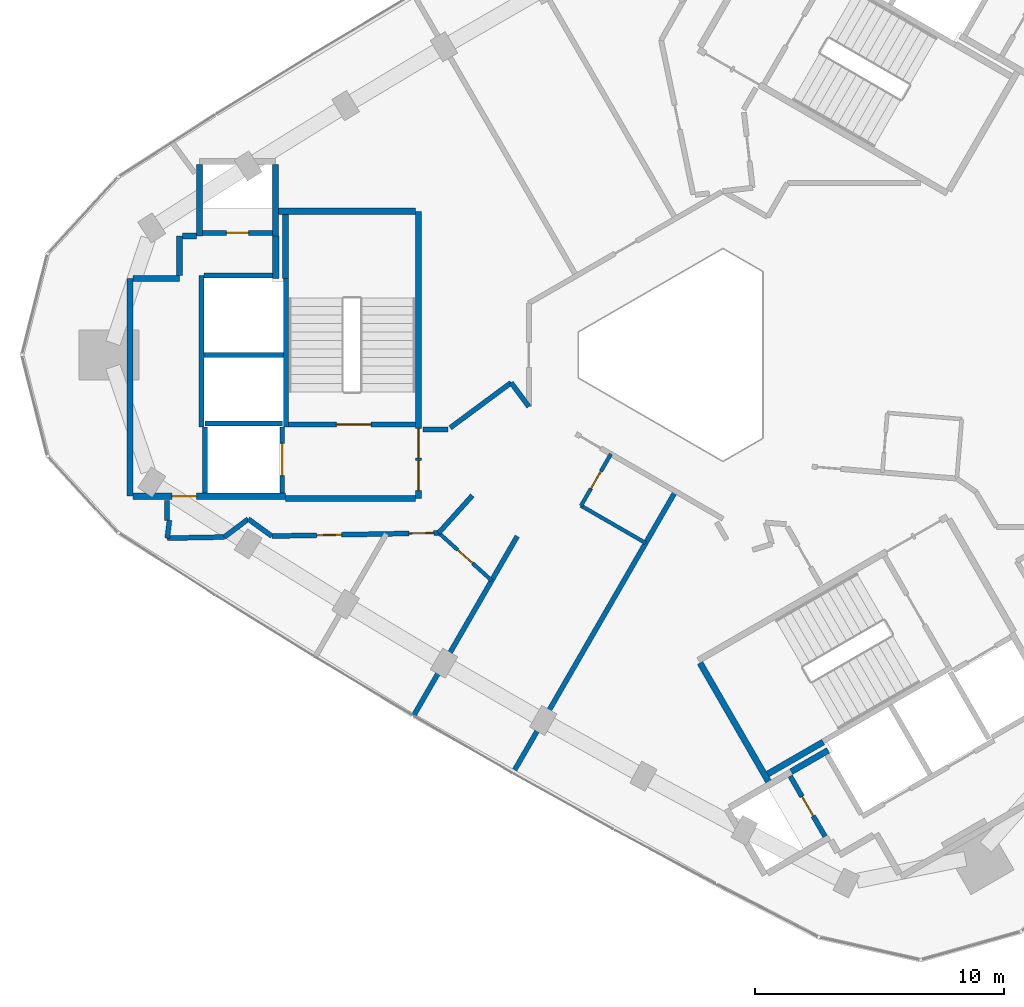
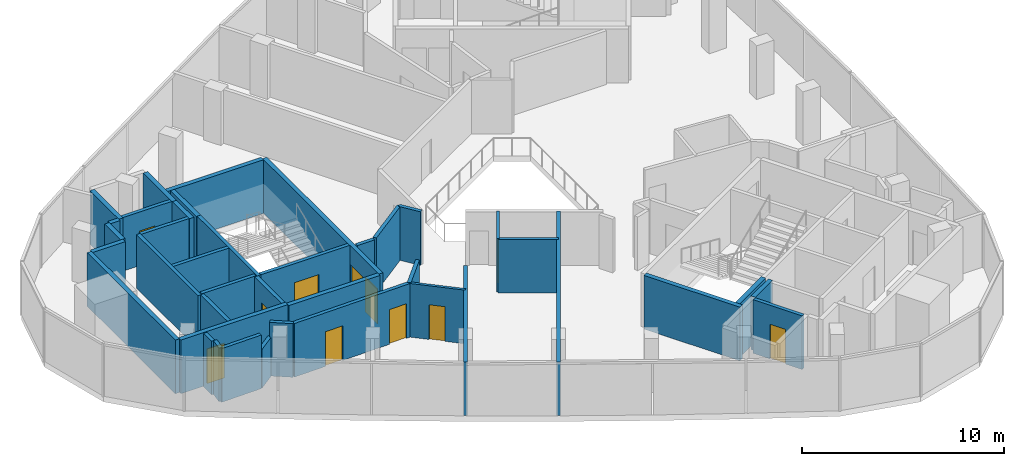
# One storey, part 6 of 10: 40 walls, 11 doors, 11 openings.
"""IFC4 building model written with IfcOpenShell, lengths in metres."""

from ifc_helpers import new_model, si_unit, direction, frame, frame_2d, origin, place, context, subcontext, project, spatial, rectangle, extrude, material, layer, layer_set, type_object, element, fill, save


model = new_model("IFC4")

# Units and contexts
model_context = context("Model", 3, precision=1e-05, world=origin(), true_north=direction((0.0, 1.0)))
body_context = subcontext(model_context, "Body", "Model", "MODEL_VIEW")
ifc_project = project(units=[si_unit("LENGTHUNIT", "METRE"), si_unit("AREAUNIT", "SQUARE_METRE"), si_unit("VOLUMEUNIT", "CUBIC_METRE"), si_unit("PLANEANGLEUNIT", "RADIAN"), si_unit("MASSUNIT", "GRAM", prefix="KILO")], contexts=[model_context])

# Site, building, storey
site_placement = place(None, origin())
site = spatial("IfcSite", under=ifc_project, at=site_placement, CompositionType="ELEMENT")
building_placement = place(site_placement, origin())
building = spatial("IfcBuilding", under=site, at=building_placement, Name="Tamra Quay Hotel Tower", CompositionType="ELEMENT")
storey_placement = place(building_placement, frame((0.0, 0.0, 276.60009765625)))
storey = spatial("IfcBuildingStorey", under=building, at=storey_placement, Name="L70", CompositionType="ELEMENT", Elevation=276.60009765625)

# Walls
ifc_material_1 = material(Name="Concrete M70", Category="concrete")
ifc_layer_1 = layer(ifc_material_1, 0.199951171875)
ifc_layer_set_1 = layer_set([ifc_layer_1], Name="Concrete M70 core wall 200")
wall_type_1 = type_object("IfcWallType", Name="Concrete M70 core wall 200", PredefinedType="SHEAR", material=ifc_layer_set_1)
wall_1_placement = place(storey_placement, frame((-16.162109375, 3.073974609375, 0.0), z_axis=(0.0, 0.0, 1.0), x_axis=(0.0, -1.0, 0.0)))
element("IfcWall", 1, at=wall_1_placement, inside=storey, type_object=wall_type_1, Name="CW2", PredefinedType="SHEAR", context=body_context, shape_type="SweptSolid", body=[
    extrude(rectangle(XDim=5.97412109375, YDim=0.199951171875, at=frame_2d((2.987060546875, 0.0))), origin(), (0.0, 0.0, 1.0), 3.25),
])
wall_2_placement = place(storey_placement, frame((-19.5625, -2.900146484375, 0.0), z_axis=(0.0, 0.0, 1.0), x_axis=(0.0, 1.0, 0.0)))
element("IfcWall", 2, at=wall_2_placement, inside=storey, type_object=wall_type_1, Name="CW2", PredefinedType="SHEAR", context=body_context, shape_type="SweptSolid", body=[
    extrude(rectangle(XDim=6.100341796875, YDim=0.199951171875, at=frame_2d((3.05029296875, 0.0))), origin(), (0.0, 0.0, 1.0), 3.25),
])

# Wall, opening, door
wall_3_placement = place(storey_placement, frame((-10.96337890625, -2.800048828125, 0.0), z_axis=(0.0, 0.0, 1.0), x_axis=(-1.0, 0.0, 0.0)))
wall_3 = element("IfcWall", 3, at=wall_3_placement, inside=storey, type_object=wall_type_1, Name="CW2", PredefinedType="SHEAR", context=body_context, shape_type="SweptSolid", body=[
    extrude(rectangle(XDim=5.097900390625, YDim=0.199951171875, at=frame_2d((2.548828125, 0.0))), origin(), (0.0, 0.0, 1.0), 3.25),
])
opening_1_placement = place(wall_3_placement, frame((1.77392578125, 0.0, 0.0)))
opening_1 = element("IfcOpeningElement", 4, at=opening_1_placement, cuts=wall_3, Name="Opening FD2", PredefinedType="OPENING", context=body_context, shape_type="SweptSolid", body=[
    extrude(rectangle(XDim=1.39990234375, YDim=2.10009765625, at=frame_2d((0.699951171875, 1.050048828125))), frame((0.0, 0.10986328125, 0.0), z_axis=(0.0, -1.0, 0.0), x_axis=(1.0, 0.0, 0.0)), (0.0, 0.0, 1.0), 0.219970703125),
])
ifc_material_2 = material(Name="Core door FD2 1400x2100 RH")
door_type_1 = type_object("IfcDoorType", Name="Core door FD2 1400x2100 RH", OperationType="NOTDEFINED", PredefinedType="DOOR", material=ifc_material_2)
door_1_placement = place(opening_1_placement, origin())
door_1 = element("IfcDoor", 5, at=door_1_placement, inside=storey, type_object=door_type_1, Name="FD2", OperationType="SINGLE_SWING_RIGHT", OverallHeight=2.10009765625, OverallWidth=1.39990234375, PredefinedType="DOOR", context=body_context, shape_type="SweptSolid", body=[
    extrude(rectangle(XDim=1.39990234375, YDim=2.10009765625, at=frame_2d((0.699951171875, 1.050048828125))), frame((0.0, 0.02490234375, 0.0), z_axis=(0.0, -1.0, 0.0), x_axis=(1.0, 0.0, 0.0)), (0.0, 0.0, 1.0), 0.050048828125),
])
fill(opening_1, door_1)

# Wall
wall_4_placement = place(storey_placement, frame((-16.26318359375, 0.0, 0.0), z_axis=(0.0, 0.0, 1.0), x_axis=(-1.0, 0.0, 0.0)))
element("IfcWall", 6, at=wall_4_placement, inside=storey, type_object=wall_type_1, Name="CW2", PredefinedType="SHEAR", context=body_context, shape_type="SweptSolid", body=[
    extrude(rectangle(XDim=3.1982421875, YDim=0.199951171875, at=frame_2d((1.59912109375, 0.0))), origin(), (0.0, 0.0, 1.0), 3.25),
])

# Wall, opening, door
wall_5_placement = place(storey_placement, frame((-19.51123046875, 4.91015625, 0.0), z_axis=(0.0, 0.0, 1.0), x_axis=(1.0, 0.0, 0.0)))
wall_5 = element("IfcWall", 7, at=wall_5_placement, inside=storey, type_object=wall_type_1, Name="CW2", PredefinedType="SHEAR", context=body_context, shape_type="SweptSolid", body=[
    extrude(rectangle(XDim=2.7978515625, YDim=0.199951171875, at=frame_2d((1.39892578125, 0.0))), origin(), (0.0, 0.0, 1.0), 3.25),
])
opening_2_placement = place(wall_5_placement, frame((0.948974609375, 0.0, 0.0)))
opening_2 = element("IfcOpeningElement", 8, at=opening_2_placement, cuts=wall_5, Name="Opening D1", PredefinedType="OPENING", context=body_context, shape_type="SweptSolid", body=[
    extrude(rectangle(XDim=0.89990234375, YDim=2.10009765625, at=frame_2d((0.449951171875, 1.050048828125))), frame((0.0, 0.10986328125, 0.0), z_axis=(0.0, -1.0, 0.0), x_axis=(1.0, 0.0, 0.0)), (0.0, 0.0, 1.0), 0.219970703125),
])
ifc_material_3 = material(Name="Core door D1 900x2100 LH")
door_type_2 = type_object("IfcDoorType", Name="Core door D1 900x2100 LH", OperationType="NOTDEFINED", PredefinedType="DOOR", material=ifc_material_3)
door_2_placement = place(opening_2_placement, origin())
door_2 = element("IfcDoor", 9, at=door_2_placement, inside=storey, type_object=door_type_2, Name="D1", OperationType="SINGLE_SWING_LEFT", OverallHeight=2.10009765625, OverallWidth=0.89990234375, PredefinedType="DOOR", context=body_context, shape_type="SweptSolid", body=[
    extrude(rectangle(XDim=0.89990234375, YDim=2.10009765625, at=frame_2d((0.449951171875, 1.050048828125))), frame((0.0, 0.02490234375, 0.0), z_axis=(0.0, -1.0, 0.0), x_axis=(1.0, 0.0, 0.0)), (0.0, 0.0, 1.0), 0.050048828125),
])
fill(opening_2, door_2)

# Walls
wall_6_placement = place(storey_placement, frame((-19.46240234375, 3.2001953125, 0.0), z_axis=(0.0, 0.0, 1.0), x_axis=(1.0, 0.0, 0.0)))
element("IfcWall", 10, at=wall_6_placement, inside=storey, type_object=wall_type_1, Name="CW2", PredefinedType="SHEAR", context=body_context, shape_type="SweptSolid", body=[
    extrude(rectangle(XDim=2.759033203125, YDim=0.199951171875, at=frame_2d((1.37939453125, 0.0))), origin(), (0.0, 0.0, 1.0), 3.25),
])
wall_7_placement = place(storey_placement, frame((-19.412353515625, -2.75, 0.0), z_axis=(0.0, 0.0, 1.0), x_axis=(1.0, 0.0, 0.0)))
element("IfcWall", 11, at=wall_7_placement, inside=storey, type_object=wall_type_1, Name="CW2", PredefinedType="SHEAR", context=body_context, shape_type="SweptSolid", body=[
    extrude(rectangle(XDim=3.10009765625, YDim=0.199951171875, at=frame_2d((1.550048828125, 0.0))), origin(), (0.0, 0.0, 1.0), 3.25),
])

# Wall, opening, door
wall_8_placement = place(storey_placement, frame((-16.312255859375, -2.898193359375, 0.0), z_axis=(0.0, 0.0, 1.0), x_axis=(0.0, -1.0, 0.0)))
wall_8 = element("IfcWall", 12, at=wall_8_placement, inside=storey, type_object=wall_type_1, Name="CW2", PredefinedType="SHEAR", context=body_context, shape_type="SweptSolid", body=[
    extrude(rectangle(XDim=2.65087890625, YDim=0.199951171875, at=frame_2d((1.325439453125, 0.0))), origin(), (0.0, 0.0, 1.0), 3.25),
])
opening_3_placement = place(wall_8_placement, frame((0.65185546875, 0.0, 0.0)))
opening_3 = element("IfcOpeningElement", 13, at=opening_3_placement, cuts=wall_8, Name="Opening LD", PredefinedType="OPENING", context=body_context, shape_type="SweptSolid", body=[
    extrude(rectangle(XDim=1.300048828125, YDim=2.10009765625, at=frame_2d((0.64990234375, 1.050048828125))), frame((0.0, 0.10986328125, 0.0), z_axis=(0.0, -1.0, 0.0), x_axis=(1.0, 0.0, 0.0)), (0.0, 0.0, 1.0), 0.219970703125),
])
ifc_material_4 = material(Name="Landing door LD 1300 sliding to right")
door_type_3 = type_object("IfcDoorType", Name="Landing door LD 1300 sliding to right", OperationType="NOTDEFINED", PredefinedType="DOOR", material=ifc_material_4)
door_3_placement = place(opening_3_placement, origin())
door_3 = element("IfcDoor", 14, at=door_3_placement, inside=storey, type_object=door_type_3, Name="LD", OperationType="SLIDING_TO_RIGHT", OverallHeight=2.10009765625, OverallWidth=1.300048828125, PredefinedType="DOOR", context=body_context, shape_type="SweptSolid", body=[
    extrude(rectangle(XDim=1.300048828125, YDim=2.10009765625, at=frame_2d((0.64990234375, 1.050048828125))), frame((0.0, 0.02490234375, 0.0), z_axis=(0.0, -1.0, 0.0), x_axis=(1.0, 0.0, 0.0)), (0.0, 0.0, 1.0), 0.050048828125),
])
fill(opening_3, door_3)

# Wall
wall_9_placement = place(storey_placement, frame((-19.412353515625, -5.549072265625, 0.0), z_axis=(0.0, 0.0, 1.0), x_axis=(0.0, 1.0, 0.0)))
element("IfcWall", 15, at=wall_9_placement, inside=storey, type_object=wall_type_1, Name="CW2", PredefinedType="SHEAR", context=body_context, shape_type="SweptSolid", body=[
    extrude(rectangle(XDim=2.65087890625, YDim=0.199951171875, at=frame_2d((1.325439453125, 0.0))), origin(), (0.0, 0.0, 1.0), 3.25),
])

# Wall, opening, door
wall_10_placement = place(storey_placement, frame((5.50341796875, -19.352294921875, 0.0), z_axis=(0.0, 0.0, 1.0), x_axis=(-0.499986818241, 0.866033014143, 0.0)))
wall_10 = element("IfcWall", 16, at=wall_10_placement, inside=storey, type_object=wall_type_1, Name="CW2", PredefinedType="SHEAR", context=body_context, shape_type="SweptSolid", body=[
    extrude(rectangle(XDim=2.7978515625, YDim=0.199951171875, at=frame_2d((1.39892578125, 0.0))), origin(), (0.0, 0.0, 1.0), 3.25),
])
opening_4_placement = place(wall_10_placement, frame((0.948974609375, 0.0, 0.0)))
opening_4 = element("IfcOpeningElement", 17, at=opening_4_placement, cuts=wall_10, Name="Opening D1", PredefinedType="OPENING", context=body_context, shape_type="SweptSolid", body=[
    extrude(rectangle(XDim=0.89990234375, YDim=2.10009765625, at=frame_2d((0.449951171875, 1.050048828125))), frame((0.0, 0.10986328125, 0.0), z_axis=(0.0, -1.0, 0.0), x_axis=(1.0, 0.0, 0.0)), (0.0, 0.0, 1.0), 0.219970703125),
])
ifc_material_5 = material(Name="Core door D1 900x2100 RH")
door_type_4 = type_object("IfcDoorType", Name="Core door D1 900x2100 RH", OperationType="NOTDEFINED", PredefinedType="DOOR", material=ifc_material_5)
door_4_placement = place(opening_4_placement, origin())
door_4 = element("IfcDoor", 18, at=door_4_placement, inside=storey, type_object=door_type_4, Name="D1", OperationType="SINGLE_SWING_RIGHT", OverallHeight=2.10009765625, OverallWidth=0.89990234375, PredefinedType="DOOR", context=body_context, shape_type="SweptSolid", body=[
    extrude(rectangle(XDim=0.89990234375, YDim=2.10009765625, at=frame_2d((0.449951171875, 1.050048828125))), frame((0.0, 0.02490234375, 0.0), z_axis=(0.0, -1.0, 0.0), x_axis=(1.0, 0.0, 0.0)), (0.0, 0.0, 1.0), 0.050048828125),
])
fill(opening_4, door_4)

# Wall, openings, doors
ifc_layer_2 = layer(ifc_material_1, 0.25)
ifc_layer_set_2 = layer_set([ifc_layer_2], Name="Concrete M70 core wall 250")
wall_type_2 = type_object("IfcWallType", Name="Concrete M70 core wall 250", PredefinedType="SHEAR", material=ifc_layer_set_2)
wall_11_placement = place(storey_placement, frame((-10.83740234375, 5.77490234375, 0.0), z_axis=(0.0, 0.0, 1.0), x_axis=(0.0, -1.0, 0.0)))
wall_11 = element("IfcWall", 19, at=wall_11_placement, inside=storey, type_object=wall_type_2, Name="CW1", PredefinedType="SHEAR", context=body_context, shape_type="SweptSolid", body=[
    extrude(rectangle(XDim=11.5498046875, YDim=0.25, at=frame_2d((5.77490234375, 0.0))), origin(), (0.0, 0.0, 1.0), 3.25),
])
opening_5_placement = place(wall_11_placement, frame((10.02490234375, 0.0, 0.0)))
opening_5 = element("IfcOpeningElement", 20, at=opening_5_placement, cuts=wall_11, Name="Opening FD1", PredefinedType="OPENING", context=body_context, shape_type="SweptSolid", body=[
    extrude(rectangle(XDim=1.199951171875, YDim=2.10009765625, at=frame_2d((0.60009765625, 1.050048828125))), frame((0.0, 0.135009765625, 0.0), z_axis=(0.0, -1.0, 0.0), x_axis=(1.0, 0.0, 0.0)), (0.0, 0.0, 1.0), 0.27001953125),
])
opening_6_placement = place(wall_11_placement, frame((8.72509765625, 0.0, 0.0)))
opening_6 = element("IfcOpeningElement", 21, at=opening_6_placement, cuts=wall_11, Name="Opening FD1", PredefinedType="OPENING", context=body_context, shape_type="SweptSolid", body=[
    extrude(rectangle(XDim=1.199951171875, YDim=2.10009765625, at=frame_2d((0.60009765625, 1.050048828125))), frame((0.0, 0.135009765625, 0.0), z_axis=(0.0, -1.0, 0.0), x_axis=(1.0, 0.0, 0.0)), (0.0, 0.0, 1.0), 0.27001953125),
])
ifc_material_6 = material(Name="Core door FD1 1200x2100 LH")
door_type_5 = type_object("IfcDoorType", Name="Core door FD1 1200x2100 LH", OperationType="NOTDEFINED", PredefinedType="DOOR", material=ifc_material_6)
door_5_placement = place(opening_5_placement, origin())
door_5 = element("IfcDoor", 22, at=door_5_placement, inside=storey, type_object=door_type_5, Name="FD1", OperationType="SINGLE_SWING_LEFT", OverallHeight=2.10009765625, OverallWidth=1.199951171875, PredefinedType="DOOR", context=body_context, shape_type="SweptSolid", body=[
    extrude(rectangle(XDim=1.199951171875, YDim=2.10009765625, at=frame_2d((0.60009765625, 1.050048828125))), frame((0.0, 0.02490234375, 0.0), z_axis=(0.0, -1.0, 0.0), x_axis=(1.0, 0.0, 0.0)), (0.0, 0.0, 1.0), 0.050048828125),
])
fill(opening_5, door_5)
ifc_material_7 = material(Name="Core door FD1 1200x2100 RH")
door_type_6 = type_object("IfcDoorType", Name="Core door FD1 1200x2100 RH", OperationType="NOTDEFINED", PredefinedType="DOOR", material=ifc_material_7)
door_6_placement = place(opening_6_placement, origin())
door_6 = element("IfcDoor", 23, at=door_6_placement, inside=storey, type_object=door_type_6, Name="FD1", OperationType="SINGLE_SWING_RIGHT", OverallHeight=2.10009765625, OverallWidth=1.199951171875, PredefinedType="DOOR", context=body_context, shape_type="SweptSolid", body=[
    extrude(rectangle(XDim=1.199951171875, YDim=2.10009765625, at=frame_2d((0.60009765625, 1.050048828125))), frame((0.0, 0.02490234375, 0.0), z_axis=(0.0, -1.0, 0.0), x_axis=(1.0, 0.0, 0.0)), (0.0, 0.0, 1.0), 0.050048828125),
])
fill(opening_6, door_6)

# Wall
wall_12_placement = place(storey_placement, frame((-22.437255859375, -5.675048828125, 0.0), z_axis=(0.0, 0.0, 1.0), x_axis=(0.0, 1.0, 0.0)))
element("IfcWall", 24, at=wall_12_placement, inside=storey, type_object=wall_type_2, Name="CW1", PredefinedType="SHEAR", context=body_context, shape_type="SweptSolid", body=[
    extrude(rectangle(XDim=8.75, YDim=0.25, at=frame_2d((4.375, 0.0))), origin(), (0.0, 0.0, 1.0), 3.25),
])

# Wall, opening, door
wall_13_placement = place(storey_placement, frame((-16.187255859375, -5.675048828125, 0.0), z_axis=(0.0, 0.0, 1.0), x_axis=(-1.0, 0.0, 0.0)))
wall_13 = element("IfcWall", 25, at=wall_13_placement, inside=storey, type_object=wall_type_2, Name="CW1", PredefinedType="SHEAR", context=body_context, shape_type="SweptSolid", body=[
    extrude(rectangle(XDim=6.12451171875, YDim=0.25, at=frame_2d((3.062255859375, 0.0))), origin(), (0.0, 0.0, 1.0), 3.25),
])
opening_7_placement = place(wall_13_placement, frame((3.562744140625, 0.0, 0.0)))
opening_7 = element("IfcOpeningElement", 26, at=opening_7_placement, cuts=wall_13, Name="Opening FD3", PredefinedType="OPENING", context=body_context, shape_type="SweptSolid", body=[
    extrude(rectangle(XDim=1.0, YDim=2.10009765625, at=frame_2d((0.5, 1.050048828125))), frame((0.0, 0.135009765625, 0.0), z_axis=(0.0, -1.0, 0.0), x_axis=(1.0, 0.0, 0.0)), (0.0, 0.0, 1.0), 0.27001953125),
])
ifc_material_8 = material(Name="Core door FD3 1000x2100 LH")
door_type_7 = type_object("IfcDoorType", Name="Core door FD3 1000x2100 LH", OperationType="NOTDEFINED", PredefinedType="DOOR", material=ifc_material_8)
door_7_placement = place(opening_7_placement, origin())
door_7 = element("IfcDoor", 27, at=door_7_placement, inside=storey, type_object=door_type_7, Name="FD3", OperationType="SINGLE_SWING_LEFT", OverallHeight=2.10009765625, OverallWidth=1.0, PredefinedType="DOOR", context=body_context, shape_type="SweptSolid", body=[
    extrude(rectangle(XDim=1.0, YDim=2.10009765625, at=frame_2d((0.5, 1.050048828125))), frame((0.0, 0.02490234375, 0.0), z_axis=(0.0, -1.0, 0.0), x_axis=(1.0, 0.0, 0.0)), (0.0, 0.0, 1.0), 0.050048828125),
])
fill(opening_7, door_7)

# Walls
wall_14_placement = place(storey_placement, frame((-10.962646484375, -5.77490234375, 0.0), z_axis=(0.0, 0.0, 1.0), x_axis=(-1.0, 0.0, 0.0)))
element("IfcWall", 28, at=wall_14_placement, inside=storey, type_object=wall_type_2, Name="CW1", PredefinedType="SHEAR", context=body_context, shape_type="SweptSolid", body=[
    extrude(rectangle(XDim=5.224609375, YDim=0.25, at=frame_2d((2.6123046875, 0.0))), origin(), (0.0, 0.0, 1.0), 3.25),
])
wall_15_placement = place(storey_placement, frame((-16.47216796875, 5.77490234375, 0.0), z_axis=(0.0, 0.0, 1.0), x_axis=(1.0, 0.0, 0.0)))
element("IfcWall", 29, at=wall_15_placement, inside=storey, type_object=wall_type_2, Name="CW1", PredefinedType="SHEAR", context=body_context, shape_type="SweptSolid", body=[
    extrude(rectangle(XDim=5.509521484375, YDim=0.25, at=frame_2d((2.7548828125, 0.0))), origin(), (0.0, 0.0, 1.0), 3.25),
])
for number, where, z_axis, x_axis, name in (
    (30, (-16.58740234375, 7.649658203125, 0.0), (0.0, 0.0, 1.0), (0.0, -1.0, 0.0), "CW1"),
    (31, (-19.63720703125, 4.784912109375, 0.0), (0.0, 0.0, 1.0), (0.0, 1.0, 0.0), "CW1"),
):
    element("IfcWall", number, at=place(storey_placement, frame(where, z_axis=z_axis, x_axis=x_axis)), inside=storey, type_object=wall_type_2, Name=name, PredefinedType="SHEAR", context=body_context, shape_type="SweptSolid", body=[
        extrude(rectangle(XDim=2.86474609375, YDim=0.25, at=frame_2d((1.432373046875, 0.0))), origin(), (0.0, 0.0, 1.0), 3.25),
    ])
wall_16_placement = place(storey_placement, frame((-16.187255859375, 3.074951171875, 0.0), z_axis=(0.0, 0.0, 1.0), x_axis=(0.0, 1.0, 0.0)))
element("IfcWall", 32, at=wall_16_placement, inside=storey, type_object=wall_type_2, Name="CW1", PredefinedType="SHEAR", context=body_context, shape_type="SweptSolid", body=[
    extrude(rectangle(XDim=2.57470703125, YDim=0.25, at=frame_2d((1.287353515625, 0.0))), origin(), (0.0, 0.0, 1.0), 3.25),
])
wall_17_placement = place(storey_placement, frame((-22.311767578125, 3.074951171875, 0.0), z_axis=(0.0, 0.0, 1.0), x_axis=(1.0, 0.0, 0.0)))
element("IfcWall", 33, at=wall_17_placement, inside=storey, type_object=wall_type_2, Name="CW1", PredefinedType="SHEAR", context=body_context, shape_type="SweptSolid", body=[
    extrude(rectangle(XDim=1.864501953125, YDim=0.25, at=frame_2d((0.93212890625, 0.0))), origin(), (0.0, 0.0, 1.0), 3.25),
])
wall_18_placement = place(storey_placement, frame((-16.577392578125, 4.784912109375, 0.0), z_axis=(0.0, 0.0, 1.0), x_axis=(0.0, -1.0, 0.0)))
element("IfcWall", 34, at=wall_18_placement, inside=storey, type_object=wall_type_2, Name="CW1", PredefinedType="SHEAR", context=body_context, shape_type="SweptSolid", body=[
    extrude(rectangle(XDim=1.7099609375, YDim=0.25, at=frame_2d((0.85498046875, 0.0))), origin(), (0.0, 0.0, 1.0), 3.25),
])
wall_19_placement = place(storey_placement, frame((-20.447265625, 3.200439453125, 0.0), z_axis=(0.0, 0.0, 1.0), x_axis=(0.0, 1.0, 0.0)))
element("IfcWall", 35, at=wall_19_placement, inside=storey, type_object=wall_type_2, Name="CW1", PredefinedType="SHEAR", context=body_context, shape_type="SweptSolid", body=[
    extrude(rectangle(XDim=1.58447265625, YDim=0.25, at=frame_2d((0.792236328125, 0.0))), origin(), (0.0, 0.0, 1.0), 3.25),
])
wall_20_placement = place(storey_placement, frame((-20.32177734375, 4.784912109375, 0.0), z_axis=(0.0, 0.0, 1.0), x_axis=(1.0, 0.0, 0.0)))
element("IfcWall", 36, at=wall_20_placement, inside=storey, type_object=wall_type_2, Name="CW1", PredefinedType="SHEAR", context=body_context, shape_type="SweptSolid", body=[
    extrude(rectangle(XDim=0.55908203125, YDim=0.25, at=frame_2d((0.279541015625, 0.0))), origin(), (0.0, 0.0, 1.0), 3.25),
])
wall_21_placement = place(storey_placement, frame((3.23486328125, -17.15283203125, 0.0), z_axis=(0.0, 0.0, 1.0), x_axis=(-0.500008851346, 0.866020293397, 0.0)))
element("IfcWall", 37, at=wall_21_placement, inside=storey, type_object=wall_type_2, Name="CW1", PredefinedType="SHEAR", context=body_context, shape_type="SweptSolid", body=[
    extrude(rectangle(XDim=5.509765625, YDim=0.25, at=frame_2d((2.7548828125, 0.0))), origin(), (0.0, 0.0, 1.0), 3.25),
])
wall_22_placement = place(storey_placement, frame((5.4306640625, -15.55615234375, 0.0), z_axis=(0.0, 0.0, 1.0), x_axis=(-0.866022940537, -0.500004266446, 0.0)))
element("IfcWall", 38, at=wall_22_placement, inside=storey, type_object=wall_type_2, Name="CW1", PredefinedType="SHEAR", context=body_context, shape_type="SweptSolid", body=[
    extrude(rectangle(XDim=2.57470703125, YDim=0.25, at=frame_2d((1.287353515625, 0.0))), origin(), (0.0, 0.0, 1.0), 3.25),
])
wall_23_placement = place(storey_placement, frame((4.144775390625, -16.748779296875, 0.0), z_axis=(0.0, 0.0, 1.0), x_axis=(0.866038183914, 0.499977863513, 0.0)))
element("IfcWall", 39, at=wall_23_placement, inside=storey, type_object=wall_type_2, Name="CW1", PredefinedType="SHEAR", context=body_context, shape_type="SweptSolid", body=[
    extrude(rectangle(XDim=1.7099609375, YDim=0.25, at=frame_2d((0.85498046875, 0.0))), origin(), (0.0, 0.0, 1.0), 3.25),
])
ifc_material_9 = material(Name="Partition corridor wall")
ifc_layer_3 = layer(ifc_material_9, 0.199951171875)
ifc_layer_set_3 = layer_set([ifc_layer_3], Name="Partition corridor wall")
wall_type_3 = type_object("IfcWallType", Name="Partition corridor wall", PredefinedType="PARTITIONING", material=ifc_layer_set_3)
wall_24_placement = place(storey_placement, frame((-20.949951171875, -6.64990234375, 0.0), z_axis=(0.0, 0.0, 1.0), x_axis=(0.0, 1.0, 0.0)))
element("IfcWall", 40, at=wall_24_placement, inside=storey, type_object=wall_type_3, Name="W-C", PredefinedType="PARTITIONING", context=body_context, shape_type="SweptSolid", body=[
    extrude(rectangle(XDim=0.789794921875, YDim=0.199951171875, at=frame_2d((0.39501953125, 0.0))), origin(), (0.0, 0.0, 1.0), 3.25),
])
wall_25_placement = place(storey_placement, frame((-20.93603515625, -7.363037109375, 0.0), z_axis=(0.0, 0.0, 1.0), x_axis=(0.125330520795, 0.992115044013, 0.0)))
element("IfcWall", 41, at=wall_25_placement, inside=storey, type_object=wall_type_3, Name="W-C", PredefinedType="PARTITIONING", context=body_context, shape_type="SweptSolid", body=[
    extrude(rectangle(XDim=0.71875, YDim=0.199951171875, at=frame_2d((0.359375, 0.0))), origin(), (0.0, 0.0, 1.0), 3.25),
])
wall_26_placement = place(storey_placement, frame((-20.93603515625, -7.364013671875, 0.0), z_axis=(0.0, 0.0, 1.0), x_axis=(0.999810389391, 0.019472679998, 0.0)))
element("IfcWall", 42, at=wall_26_placement, inside=storey, type_object=wall_type_3, Name="W-C", PredefinedType="PARTITIONING", context=body_context, shape_type="SweptSolid", body=[
    extrude(rectangle(XDim=2.29443359375, YDim=0.199951171875, at=frame_2d((1.147216796875, 0.0))), origin(), (0.0, 0.0, 1.0), 3.25),
])
wall_27_placement = place(storey_placement, frame((-18.64208984375, -7.319091796875, 0.0), z_axis=(0.0, 0.0, 1.0), x_axis=(0.798707882989, 0.601718968998, 0.0)))
element("IfcWall", 43, at=wall_27_placement, inside=storey, type_object=wall_type_3, Name="W-C", PredefinedType="PARTITIONING", context=body_context, shape_type="SweptSolid", body=[
    extrude(rectangle(XDim=1.203369140625, YDim=0.199951171875, at=frame_2d((0.6015625, 0.0))), origin(), (0.0, 0.0, 1.0), 2.349853515625),
])
wall_28_placement = place(storey_placement, frame((-17.680908203125, -6.594970703125, 0.0), z_axis=(0.0, 0.0, 1.0), x_axis=(0.810123213102, -0.586259652026, 0.0)))
element("IfcWall", 44, at=wall_28_placement, inside=storey, type_object=wall_type_3, Name="W-C", PredefinedType="PARTITIONING", context=body_context, shape_type="SweptSolid", body=[
    extrude(rectangle(XDim=1.170166015625, YDim=0.199951171875, at=frame_2d((0.5849609375, 0.0))), origin(), (0.0, 0.0, 1.0), 3.25),
])

# Wall, openings, doors
wall_29_placement = place(storey_placement, frame((-16.73193359375, -7.281982421875, 0.0), z_axis=(0.0, 0.0, 1.0), x_axis=(0.999809829903, 0.019501385329, 0.0)))
wall_29 = element("IfcWall", 45, at=wall_29_placement, inside=storey, type_object=wall_type_3, Name="W-C", PredefinedType="PARTITIONING", context=body_context, shape_type="SweptSolid", body=[
    extrude(rectangle(XDim=6.710205078125, YDim=0.199951171875, at=frame_2d((3.35498046875, 0.0))), origin(), (0.0, 0.0, 1.0), 3.25),
])
opening_8_placement = place(wall_29_placement, frame((1.806884765625, 0.0, 0.0)))
opening_8 = element("IfcOpeningElement", 46, at=opening_8_placement, cuts=wall_29, Name="Opening L70-D009", PredefinedType="OPENING", context=body_context, shape_type="SweptSolid", body=[
    extrude(rectangle(XDim=1.0, YDim=2.10009765625, at=frame_2d((0.5, 1.050048828125))), frame((0.0, 0.10986328125, 0.0), z_axis=(0.0, -1.0, 0.0), x_axis=(1.0, 0.0, 0.0)), (0.0, 0.0, 1.0), 0.219970703125),
])
opening_9_placement = place(wall_29_placement, frame((5.51025390625, 0.0, 0.0)))
opening_9 = element("IfcOpeningElement", 47, at=opening_9_placement, cuts=wall_29, Name="Opening L70-D010", PredefinedType="OPENING", context=body_context, shape_type="SweptSolid", body=[
    extrude(rectangle(XDim=1.0, YDim=2.10009765625, at=frame_2d((0.5, 1.050048828125))), frame((0.0, 0.10986328125, 0.0), z_axis=(0.0, -1.0, 0.0), x_axis=(1.0, 0.0, 0.0)), (0.0, 0.0, 1.0), 0.219970703125),
])
ifc_material_10 = material(Name="Door guest room 1000x2100")
door_type_8 = type_object("IfcDoorType", Name="Door guest room 1000x2100", OperationType="NOTDEFINED", PredefinedType="DOOR", material=ifc_material_10)
door_8_placement = place(opening_8_placement, origin())
door_8 = element("IfcDoor", 48, at=door_8_placement, inside=storey, type_object=door_type_8, Name="L70-D009", OperationType="SINGLE_SWING_LEFT", OverallHeight=2.10009765625, OverallWidth=1.0, PredefinedType="DOOR", context=body_context, shape_type="SweptSolid", body=[
    extrude(rectangle(XDim=1.0, YDim=2.10009765625, at=frame_2d((0.5, 1.050048828125))), frame((0.0, 0.02490234375, 0.0), z_axis=(0.0, -1.0, 0.0), x_axis=(1.0, 0.0, 0.0)), (0.0, 0.0, 1.0), 0.050048828125),
])
fill(opening_8, door_8)
door_9_placement = place(opening_9_placement, frame((1.0, 0.0, 0.0), z_axis=(0.0, 0.0, 1.0), x_axis=(-1.0, 0.0, 0.0)))
door_9 = element("IfcDoor", 49, at=door_9_placement, inside=storey, type_object=door_type_8, Name="L70-D010", OperationType="SINGLE_SWING_LEFT", OverallHeight=2.10009765625, OverallWidth=1.0, PredefinedType="DOOR", context=body_context, shape_type="SweptSolid", body=[
    extrude(rectangle(XDim=1.0, YDim=2.10009765625, at=frame_2d((0.5, 1.050048828125))), frame((0.0, 0.02490234375, 0.0), z_axis=(0.0, -1.0, 0.0), x_axis=(1.0, 0.0, 0.0)), (0.0, 0.0, 1.0), 0.050048828125),
])
fill(opening_9, door_9)

# Walls
wall_30_placement = place(storey_placement, frame((-10.65234375, -3.0, 0.0), z_axis=(0.0, 0.0, 1.0), x_axis=(1.0, 0.0, 0.0)))
element("IfcWall", 50, at=wall_30_placement, inside=storey, type_object=wall_type_3, Name="W-C", PredefinedType="PARTITIONING", context=body_context, shape_type="SweptSolid", body=[
    extrude(rectangle(XDim=0.994384765625, YDim=0.199951171875, at=frame_2d((0.4970703125, 0.0))), origin(), (0.0, 0.0, 1.0), 3.25),
])
wall_31_placement = place(storey_placement, frame((-10.02294921875, -7.15087890625, 0.0), z_axis=(0.0, 0.0, 1.0), x_axis=(0.668804583793, 0.743438248073, 0.0)))
element("IfcWall", 51, at=wall_31_placement, inside=storey, type_object=wall_type_3, Name="W-C", PredefinedType="PARTITIONING", context=body_context, shape_type="SweptSolid", body=[
    extrude(rectangle(XDim=2.021484375, YDim=0.199951171875, at=frame_2d((1.0107421875, 0.0))), origin(), (0.0, 0.0, 1.0), 3.25),
])
wall_32_placement = place(storey_placement, frame((-7.114990234375, -1.114990234375, 0.0), z_axis=(0.0, 0.0, 1.0), x_axis=(-0.803344165632, -0.595515030495, 0.0)))
element("IfcWall", 52, at=wall_32_placement, inside=storey, type_object=wall_type_3, Name="W-C", PredefinedType="PARTITIONING", context=body_context, shape_type="SweptSolid", body=[
    extrude(rectangle(XDim=3.046142578125, YDim=0.199951171875, at=frame_2d((1.52294921875, 0.0))), origin(), (0.0, 0.0, 1.0), 3.25),
])
wall_33_placement = place(storey_placement, frame((-7.114013671875, -1.114990234375, 0.0), z_axis=(0.0, 0.0, 1.0), x_axis=(0.595690139668, -0.803214328496, 0.0)))
element("IfcWall", 53, at=wall_33_placement, inside=storey, type_object=wall_type_3, Name="W-C", PredefinedType="PARTITIONING", context=body_context, shape_type="SweptSolid", body=[
    extrude(rectangle(XDim=1.19873046875, YDim=0.199951171875, at=frame_2d((0.599365234375, 0.0))), origin(), (0.0, 0.0, 1.0), 3.25),
])

# Wall, opening, door
ifc_material_11 = material(Name="Partition en-suite wall")
ifc_layer_4 = layer(ifc_material_11, 0.14990234375)
ifc_layer_set_4 = layer_set([ifc_layer_4], Name="Partition en-suite wall")
wall_type_4 = type_object("IfcWallType", Name="Partition en-suite wall", PredefinedType="PARTITIONING", material=ifc_layer_set_4)
wall_34_placement = place(storey_placement, frame((-10.02294921875, -7.15087890625, 0.0), z_axis=(0.0, 0.0, 1.0), x_axis=(0.743463699468, -0.668776291127, 0.0)))
wall_34 = element("IfcWall", 54, at=wall_34_placement, inside=storey, type_object=wall_type_4, Name="W-E", PredefinedType="PARTITIONING", context=body_context, shape_type="SweptSolid", body=[
    extrude(rectangle(XDim=2.863525390625, YDim=0.14990234375, at=frame_2d((1.431640625, 0.0))), origin(), (0.0, 0.0, 1.0), 3.25),
])
opening_10_placement = place(wall_34_placement, frame((1.031494140625, 0.0, 0.0)))
opening_10 = element("IfcOpeningElement", 55, at=opening_10_placement, cuts=wall_34, Name="Opening L70-D011", PredefinedType="OPENING", context=body_context, shape_type="SweptSolid", body=[
    extrude(rectangle(XDim=0.800048828125, YDim=2.10009765625, at=frame_2d((0.39990234375, 1.050048828125))), frame((0.0, 0.0849609375, 0.0), z_axis=(0.0, -1.0, 0.0), x_axis=(1.0, 0.0, 0.0)), (0.0, 0.0, 1.0), 0.169921875),
])
ifc_material_12 = material(Name="Door en-suite 800x2100")
door_type_9 = type_object("IfcDoorType", Name="Door en-suite 800x2100", OperationType="NOTDEFINED", PredefinedType="DOOR", material=ifc_material_12)
door_10_placement = place(opening_10_placement, frame((0.800048828125, 0.0, 0.0), z_axis=(0.0, 0.0, 1.0), x_axis=(-1.0, 0.0, 0.0)))
door_10 = element("IfcDoor", 56, at=door_10_placement, inside=storey, type_object=door_type_9, Name="L70-D011", OperationType="SINGLE_SWING_LEFT", OverallHeight=2.10009765625, OverallWidth=0.800048828125, PredefinedType="DOOR", context=body_context, shape_type="SweptSolid", body=[
    extrude(rectangle(XDim=0.800048828125, YDim=2.10009765625, at=frame_2d((0.39990234375, 1.050048828125))), frame((0.0, 0.02490234375, 0.0), z_axis=(0.0, -1.0, 0.0), x_axis=(1.0, 0.0, 0.0)), (0.0, 0.0, 1.0), 0.050048828125),
])
fill(opening_10, door_10)

wall_35_placement = place(storey_placement, frame((-4.302978515625, -6.06005859375, 0.0), z_axis=(0.0, 0.0, 1.0), x_axis=(0.500045362686, 0.865999212041, 0.0)))
wall_35 = element("IfcWall", 57, at=wall_35_placement, inside=storey, type_object=wall_type_4, Name="W-E", PredefinedType="PARTITIONING", context=body_context, shape_type="SweptSolid", body=[
    extrude(rectangle(XDim=2.399658203125, YDim=0.14990234375, at=frame_2d((1.19970703125, 0.0))), origin(), (0.0, 0.0, 1.0), 3.25),
])
opening_11_placement = place(wall_35_placement, frame((0.7998046875, 0.0, 0.0)))
opening_11 = element("IfcOpeningElement", 58, at=opening_11_placement, cuts=wall_35, Name="Opening L70-D013", PredefinedType="OPENING", context=body_context, shape_type="SweptSolid", body=[
    extrude(rectangle(XDim=0.800048828125, YDim=2.10009765625, at=frame_2d((0.39990234375, 1.050048828125))), frame((0.0, 0.0849609375, 0.0), z_axis=(0.0, -1.0, 0.0), x_axis=(1.0, 0.0, 0.0)), (0.0, 0.0, 1.0), 0.169921875),
])
door_11_placement = place(opening_11_placement, frame((0.800048828125, 0.0, 0.0), z_axis=(0.0, 0.0, 1.0), x_axis=(-1.0, 0.0, 0.0)))
door_11 = element("IfcDoor", 59, at=door_11_placement, inside=storey, type_object=door_type_9, Name="L70-D013", OperationType="SINGLE_SWING_LEFT", OverallHeight=2.10009765625, OverallWidth=0.800048828125, PredefinedType="DOOR", context=body_context, shape_type="SweptSolid", body=[
    extrude(rectangle(XDim=0.800048828125, YDim=2.10009765625, at=frame_2d((0.39990234375, 1.050048828125))), frame((0.0, 0.02490234375, 0.0), z_axis=(0.0, -1.0, 0.0), x_axis=(1.0, 0.0, 0.0)), (0.0, 0.0, 1.0), 0.050048828125),
])
fill(opening_11, door_11)

# Walls
wall_36_placement = place(storey_placement, frame((-4.302978515625, -6.06005859375, 0.0), z_axis=(0.0, 0.0, 1.0), x_axis=(0.866010750942, -0.50002537861, 0.0)))
element("IfcWall", 60, at=wall_36_placement, inside=storey, type_object=wall_type_4, Name="W-E", PredefinedType="PARTITIONING", context=body_context, shape_type="SweptSolid", body=[
    extrude(rectangle(XDim=2.999755859375, YDim=0.14990234375, at=frame_2d((1.5, 0.0))), origin(), (0.0, 0.0, 1.0), 3.25),
])
ifc_material_13 = material(Name="Partition party wall")
ifc_layer_5 = layer(ifc_material_13, 0.199951171875)
ifc_layer_set_5 = layer_set([ifc_layer_5], Name="Partition party wall")
wall_type_5 = type_object("IfcWallType", Name="Partition party wall", PredefinedType="PARTITIONING", material=ifc_layer_set_5)
wall_37_placement = place(storey_placement, frame((-11.03466796875, -14.505126953125, 0.0), z_axis=(0.0, 0.0, 1.0), x_axis=(0.50003941366, 0.866002647102, 0.0)))
element("IfcWall", 61, at=wall_37_placement, inside=storey, type_object=wall_type_5, Name="W-P", PredefinedType="PARTITIONING", context=body_context, shape_type="SweptSolid", body=[
    extrude(rectangle(XDim=8.334228515625, YDim=0.199951171875, at=frame_2d((4.1669921875, 0.0))), origin(), (0.0, 0.0, 1.0), 3.25),
])
wall_38_placement = place(storey_placement, frame((-7.04443359375, -16.808837890625, 0.0), z_axis=(0.0, 0.0, 1.0), x_axis=(0.499969679245, 0.866042908773, 0.0)))
element("IfcWall", 62, at=wall_38_placement, inside=storey, type_object=wall_type_5, Name="W-P", PredefinedType="PARTITIONING", context=body_context, shape_type="SweptSolid", body=[
    extrude(rectangle(XDim=13.078857421875, YDim=0.199951171875, at=frame_2d((6.53955078125, 0.0))), origin(), (0.0, 0.0, 1.0), 3.25),
])

save(model, "model.ifc")
